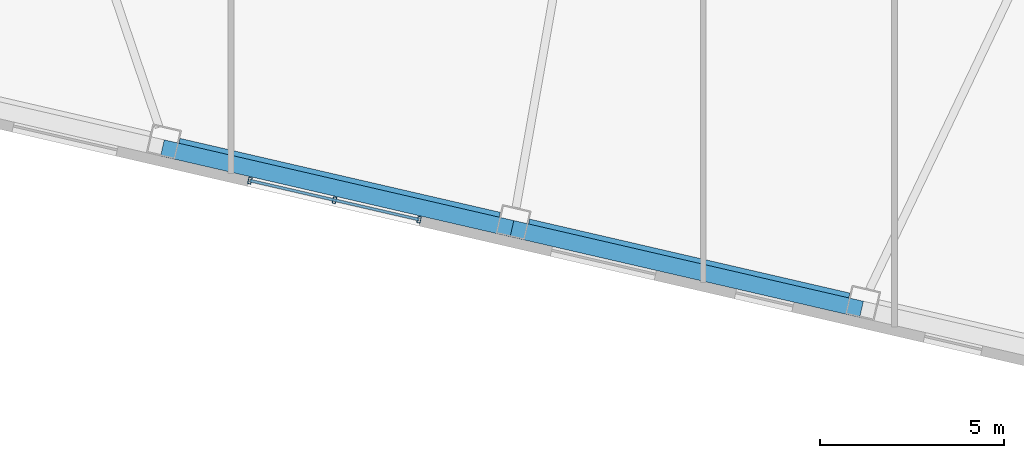
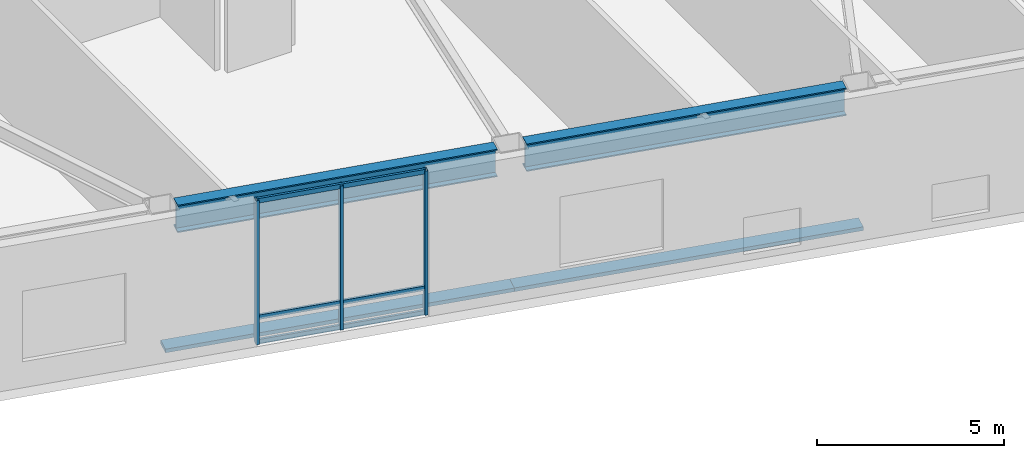
# One storey, part 4 of 21: 8 members, 2 beams, 1 element without a shape of its own.
"""IFC4 building model written with IfcOpenShell, lengths in metres."""

from ifc_helpers import new_model, si_unit, direction, frame, origin, origin_2d, place, context, subcontext, project, spatial, rectangle, hollow_rectangle, i_section, extrude, material, layer, layer_set, material_profile, profile_set, type_object, element, aggregate, save


model = new_model("IFC4")

# Units and contexts
model_context = context("Model", 3, precision=1e-05, world=origin(), true_north=direction((0.0, 1.0)))
body_context = subcontext(model_context, "Body", "Model", "MODEL_VIEW")
ifc_project = project(units=[si_unit("LENGTHUNIT", "METRE"), si_unit("AREAUNIT", "SQUARE_METRE"), si_unit("VOLUMEUNIT", "CUBIC_METRE"), si_unit("PLANEANGLEUNIT", "RADIAN"), si_unit("MASSUNIT", "GRAM", prefix="KILO")], contexts=[model_context])

# Site, building, storey
site_placement = place(None, origin())
site = spatial("IfcSite", under=ifc_project, at=site_placement, CompositionType="ELEMENT")
building_placement = place(site_placement, origin())
building = spatial("IfcBuilding", under=site, at=building_placement, Name="Tavrogorsk Clinical Tower", CompositionType="ELEMENT")
storey_placement = place(building_placement, frame((0.0, 0.0, 8.39990234375)))
storey = spatial("IfcBuildingStorey", under=building, at=storey_placement, Name="L01", CompositionType="ELEMENT", Elevation=8.39990234375)

# Members
ifc_material_1 = material(Name="Anodised aluminium alloy AW-6063", Category="aluminium")
ifc_material_profile_1 = material_profile(ifc_material_1, rectangle(XDim=0.449951171875, YDim=0.1201171875, at=origin_2d()), Name="ALU-SUNSHADE-450x120")
ifc_profile_set_1 = profile_set([ifc_material_profile_1], Name="Anodised aluminium alloy AW-6063")
member_type_1 = type_object("IfcMemberType", Name="ChicagoSunshade_450x120", PredefinedType="USERDEFINED", material=ifc_profile_set_1)
member_1_placement = place(storey_placement, frame((-3.296875, -27.353271484375, 0.18017578125), z_axis=(0.97437219846, -0.224941812182, 0.0), x_axis=(0.224941812182, 0.97437219846, 0.0)))
element("IfcMember", 1, at=member_1_placement, inside=storey, type_object=member_type_1, Name="L01 South Aluminium Sunshade S5", ObjectType="SUNSHADE", PredefinedType="USERDEFINED", context=body_context, shape_type="SweptSolid", body=[
    extrude(rectangle(XDim=0.449951171875, YDim=0.1201171875, at=origin_2d()), origin(), (0.0, 0.0, 1.0), 9.74853515625),
])
member_2_placement = place(storey_placement, frame((6.201904296875, -29.546142578125, 0.18017578125), z_axis=(0.974370931236, -0.2249473013, 0.0), x_axis=(0.2249473013, 0.974370931236, 0.0)))
element("IfcMember", 2, at=member_2_placement, inside=storey, type_object=member_type_1, Name="L01 South Aluminium Sunshade S6", ObjectType="SUNSHADE", PredefinedType="USERDEFINED", context=body_context, shape_type="SweptSolid", body=[
    extrude(rectangle(XDim=0.449951171875, YDim=0.1201171875, at=origin_2d()), origin(), (0.0, 0.0, 1.0), 9.748291015625),
])

# Curtain wall, members
ifc_material_2 = material(Name="Anodised aluminium and triple IGU glazing", Category="aluminium")
ifc_layer = layer(ifc_material_2, 0.179931640625)
ifc_layer_set = layer_set([ifc_layer], Name="Anodised aluminium and triple IGU glazing")
curtain_wall_type = type_object("IfcCurtainWallType", Name="CW3_SouthSlot", PredefinedType="NOTDEFINED", material=ifc_layer_set)
curtain_wall_placement = place(storey_placement, origin())
curtain_wall = element("IfcCurtainWall", 3, at=curtain_wall_placement, inside=storey, type_object=curtain_wall_type, Name="L01 Curtain Wall CW-L01-S-SLOT-2", PredefinedType="NOTDEFINED")
ifc_material_3 = material(Name="Anodised aluminium alloy AW-6060", Category="aluminium")
ifc_material_profile_2 = material_profile(ifc_material_3, hollow_rectangle(XDim=0.090087890625, YDim=0.179931640625, WallThickness=0.00634765625, at=origin_2d()), Name="RHS-180x90x6.3")
ifc_profile_set_2 = profile_set([ifc_material_profile_2], Name="Anodised aluminium alloy AW-6060")
member_type_2 = type_object("IfcMemberType", Name="CwMullion_180x90", PredefinedType="MULLION", material=ifc_profile_set_2)
member_3_placement = place(storey_placement, frame((-0.92041015625, -28.240478515625, 0.0), z_axis=(0.0, 0.0, 1.0), x_axis=(0.974370102963, -0.224950888978, 0.0)))
member_3 = element("IfcMember", 4, at=member_3_placement, type_object=member_type_2, Name="CW-L01-S-SLOT-2 Mullion 1", PredefinedType="MULLION", context=body_context, shape_type="SweptSolid", body=[
    extrude(hollow_rectangle(XDim=0.090087890625, YDim=0.179931640625, WallThickness=0.00634765625, at=origin_2d()), origin(), (0.0, 0.0, 1.0), 4.7001953125),
])
member_4_placement = place(storey_placement, frame((1.378173828125, -28.771240234375, 0.0), z_axis=(0.0, 0.0, 1.0), x_axis=(0.974370102963, -0.224950888978, 0.0)))
member_4 = element("IfcMember", 5, at=member_4_placement, type_object=member_type_2, Name="CW-L01-S-SLOT-2 Mullion 2", PredefinedType="MULLION", context=body_context, shape_type="SweptSolid", body=[
    extrude(hollow_rectangle(XDim=0.090087890625, YDim=0.179931640625, WallThickness=0.00634765625, at=origin_2d()), origin(), (0.0, 0.0, 1.0), 4.7001953125),
])
member_5_placement = place(storey_placement, frame((3.6767578125, -29.3017578125, 0.0), z_axis=(0.0, 0.0, 1.0), x_axis=(0.974370102963, -0.224950888978, 0.0)))
member_5 = element("IfcMember", 6, at=member_5_placement, type_object=member_type_2, Name="CW-L01-S-SLOT-2 Mullion 3", PredefinedType="MULLION", context=body_context, shape_type="SweptSolid", body=[
    extrude(hollow_rectangle(XDim=0.090087890625, YDim=0.179931640625, WallThickness=0.00634765625, at=origin_2d()), origin(), (0.0, 0.0, 1.0), 4.7001953125),
])
ifc_material_4 = material(Name="Anodised aluminium alloy AW-6060", Category="aluminium")
ifc_material_profile_3 = material_profile(ifc_material_4, hollow_rectangle(XDim=0.074951171875, YDim=0.14990234375, WallThickness=0.0048828125, at=origin_2d()), Name="RHS-150x75x5")
ifc_profile_set_3 = profile_set([ifc_material_profile_3], Name="Anodised aluminium alloy AW-6060")
member_type_3 = type_object("IfcMemberType", Name="CwTransom_150x75", PredefinedType="USERDEFINED", material=ifc_profile_set_3)
member_6_placement = place(storey_placement, frame((-0.92041015625, -28.240478515625, 0.050048828125), z_axis=(0.974372877948, -0.22493886885, 0.0), x_axis=(0.22493886885, 0.974372877948, 0.0)))
member_6 = element("IfcMember", 7, at=member_6_placement, type_object=member_type_3, Name="CW-L01-S-SLOT-2 Transom 1", ObjectType="TRANSOM", PredefinedType="USERDEFINED", context=body_context, shape_type="SweptSolid", body=[
    extrude(hollow_rectangle(XDim=0.074951171875, YDim=0.14990234375, WallThickness=0.0048828125, at=origin_2d()), origin(), (0.0, 0.0, 1.0), 4.718017578125),
])
member_7_placement = place(storey_placement, frame((-0.92041015625, -28.240478515625, 0.85009765625), z_axis=(0.974372877948, -0.22493886885, 0.0), x_axis=(0.22493886885, 0.974372877948, 0.0)))
member_7 = element("IfcMember", 8, at=member_7_placement, type_object=member_type_3, Name="CW-L01-S-SLOT-2 Transom 2", ObjectType="TRANSOM", PredefinedType="USERDEFINED", context=body_context, shape_type="SweptSolid", body=[
    extrude(hollow_rectangle(XDim=0.074951171875, YDim=0.14990234375, WallThickness=0.0048828125, at=origin_2d()), origin(), (0.0, 0.0, 1.0), 4.718017578125),
])
member_8_placement = place(storey_placement, frame((-0.92041015625, -28.240478515625, 4.650146484375), z_axis=(0.974372877948, -0.22493886885, 0.0), x_axis=(0.22493886885, 0.974372877948, 0.0)))
member_8 = element("IfcMember", 9, at=member_8_placement, type_object=member_type_3, Name="CW-L01-S-SLOT-2 Transom 3", ObjectType="TRANSOM", PredefinedType="USERDEFINED", context=body_context, shape_type="SweptSolid", body=[
    extrude(hollow_rectangle(XDim=0.074951171875, YDim=0.14990234375, WallThickness=0.0048828125, at=origin_2d()), origin(), (0.0, 0.0, 1.0), 4.718017578125),
])
aggregate(curtain_wall, [member_3, member_4, member_5, member_6, member_7, member_8])

# Beams
ifc_material_5 = material(Name="Structural steel S440", Category="steel")
ifc_material_profile_4 = material_profile(ifc_material_5, i_section(OverallWidth=0.360107421875, OverallDepth=0.89990234375, WebThickness=0.02392578125, FlangeThickness=0.0400390625, at=origin_2d()), Name="DK-900x360x24x40")
ifc_profile_set_4 = profile_set([ifc_material_profile_4], Name="Structural steel S440")
beam_type = type_object("IfcBeamType", Name="TransferGirder_DK900", PredefinedType="USERDEFINED", material=ifc_profile_set_4)
for number, where, z_axis, x_axis, name in (
    (10, (-2.85888671875, -27.26953125, 4.25), (0.974372766602, -0.224939351168, 0.0), (0.224939351168, 0.974372766602, 0.0), "L01 Perimeter Spandrel S5-S6"),
    (11, (6.639892578125, -29.46240234375, 4.25), (0.974366775889, -0.224965299645, 0.0), (0.224965299645, 0.974366775889, 0.0), "L01 Perimeter Spandrel S6-S7"),
):
    element("IfcBeam", number, at=place(storey_placement, frame(where, z_axis=z_axis, x_axis=x_axis)), inside=storey, type_object=beam_type, Name=name, ObjectType="GIRDER", PredefinedType="USERDEFINED", context=body_context, shape_type="SweptSolid", body=[
        extrude(i_section(OverallWidth=0.360107421875, OverallDepth=0.89990234375, WebThickness=0.02392578125, FlangeThickness=0.0400390625, at=origin_2d()), origin(), (0.0, 0.0, 1.0), 8.9326171875),
    ])

save(model, "model.ifc")
